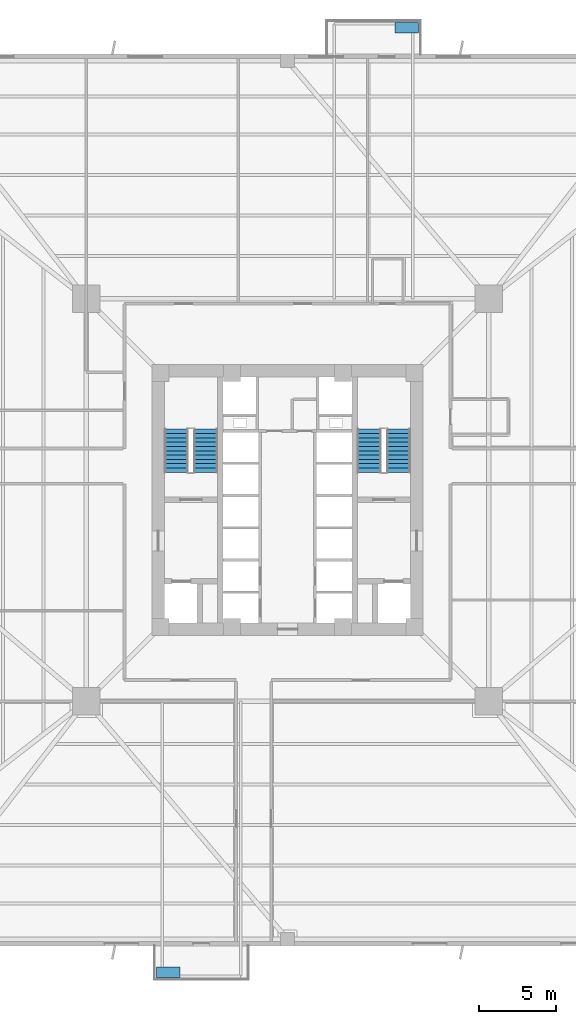
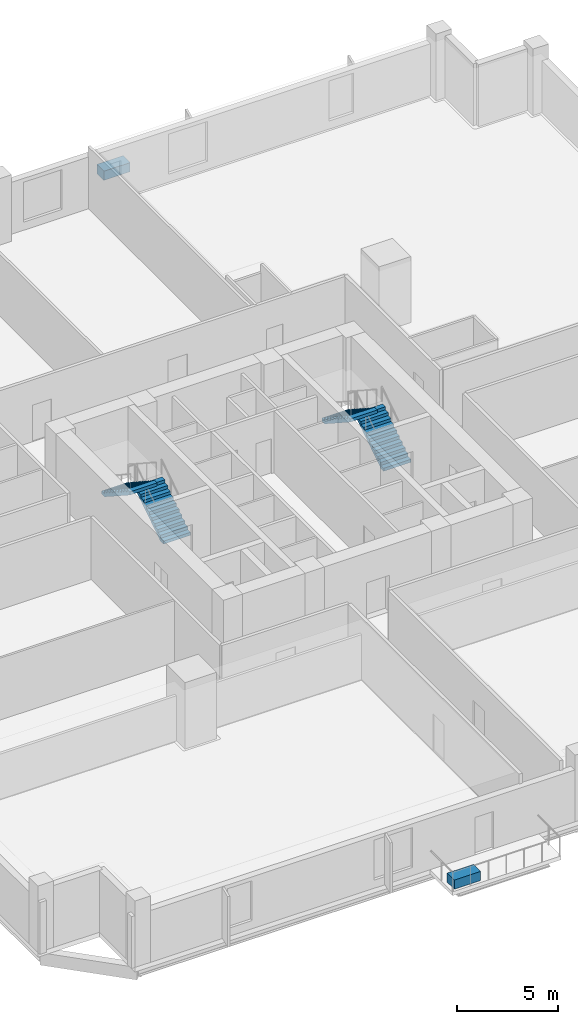
# One storey, part 5 of 8: 4 stair flights, 2 discrete accessories, 2 elements without a shape of their own.
"""IFC4 building model written with IfcOpenShell, lengths in metres."""

from ifc_helpers import new_model, si_unit, direction, frame, origin, origin_2d, place, context, subcontext, project, spatial, polyline, rectangle, outline, extrude, source, transform, mapped, material, type_object, element, aggregate, save


model = new_model("IFC4")

# Units and contexts
model_context = context("Model", 3, precision=1e-05, world=origin(), true_north=direction((0.0, 1.0)))
body_context = subcontext(model_context, "Body", "Model", "MODEL_VIEW")
ifc_project = project(units=[si_unit("LENGTHUNIT", "METRE"), si_unit("AREAUNIT", "SQUARE_METRE"), si_unit("VOLUMEUNIT", "CUBIC_METRE"), si_unit("PLANEANGLEUNIT", "RADIAN"), si_unit("MASSUNIT", "GRAM", prefix="KILO"), si_unit("THERMODYNAMICTEMPERATUREUNIT", "KELVIN")], contexts=[model_context])

# Site, building, storey
site_placement = place(None, origin())
site = spatial("IfcSite", under=ifc_project, at=site_placement, CompositionType="ELEMENT")
building_placement = place(site_placement, origin())
building = spatial("IfcBuilding", under=site, at=building_placement, Name="Kosmvard Interchange Tower", CompositionType="ELEMENT")
storey_placement = place(building_placement, frame((0.0, 0.0, 66.0)))
storey = spatial("IfcBuildingStorey", under=building, at=storey_placement, Name="L15", CompositionType="ELEMENT", Elevation=66.0)

# Stair, stair flights
ifc_material_1 = material(Name="Concrete C50/60", Category="concrete")
stair_type = type_object("IfcStairType", Name="Dog-Leg Core Exit Stair H4000 C50/60", PredefinedType="HALF_TURN_STAIR", material=ifc_material_1)
stair_1_placement = place(storey_placement, origin())
stair_1 = element("IfcStair", 1, at=stair_1_placement, inside=storey, type_object=stair_type, Name="L15 Protected Exit Stair ST-1", PredefinedType="HALF_TURN_STAIR")
stair_flight_type = type_object("IfcStairFlightType", Name="Core Stair Flight W1550 H4000 C50/60", PredefinedType="STRAIGHT", material=ifc_material_1)
shared_shape_1 = source(origin(), body_context, "Body", "SweptSolid", [
    extrude(outline(polyline([(0.0, 0.0), (0.0, 0.181884765625), (0.280029296875, 0.181884765625), (0.280029296875, 0.363525390625), (0.56005859375, 0.363525390625), (0.56005859375, 0.54541015625), (0.840087890625, 0.54541015625), (0.840087890625, 0.727294921875), (1.1201171875, 0.727294921875), (1.1201171875, 0.9091796875), (1.39990234375, 0.9091796875), (1.39990234375, 1.0908203125), (1.679931640625, 1.0908203125), (1.679931640625, 1.272705078125), (1.9599609375, 1.272705078125), (1.9599609375, 1.45458984375), (2.239990234375, 1.45458984375), (2.239990234375, 1.636474609375), (2.52001953125, 1.636474609375), (2.52001953125, 1.818115234375), (2.800048828125, 1.818115234375), (2.800048828125, 2.0), (2.800048828125, 1.62744140625), (0.293701171875, 0.0), (0.0, 0.0)])), frame((0.0, 0.77490234375, 0.0), z_axis=(0.0, -1.0, 0.0), x_axis=(1.0, 0.0, 0.0)), (0.0, 0.0, 1.0), 1.550048828125),
])
stair_flight_1_placement = place(storey_placement, frame((-5.31494140625, 1.800048828125, 0.0), z_axis=(0.0, 0.0, 1.0), x_axis=(0.0, 1.0, 0.0)))
stair_flight_1 = element("IfcStairFlight", 2, at=stair_flight_1_placement, type_object=stair_flight_type, Name="ST-1 flight 1", NumberOfRisers=11, NumberOfTreads=10, PredefinedType="STRAIGHT", RiserHeight=0.181818182, TreadLength=0.28, context=body_context, shape_type="MappedRepresentation", body=[
    mapped(shared_shape_1, transform((0.0, 0.0, 0.0), scale=1.0)),
])
stair_flight_2_placement = place(storey_placement, frame((-7.22509765625, 4.60009765625, 2.0), z_axis=(0.0, 0.0, 1.0), x_axis=(0.0, -1.0, 0.0)))
stair_flight_2 = element("IfcStairFlight", 3, at=stair_flight_2_placement, type_object=stair_flight_type, Name="ST-1 flight 2", NumberOfRisers=11, NumberOfTreads=10, PredefinedType="STRAIGHT", RiserHeight=0.181818182, TreadLength=0.28, context=body_context, shape_type="MappedRepresentation", body=[
    mapped(shared_shape_1, transform((0.0, 0.0, 0.0), scale=1.0)),
])
aggregate(stair_1, [stair_flight_1, stair_flight_2])

stair_2_placement = place(storey_placement, origin())
stair_2 = element("IfcStair", 4, at=stair_2_placement, inside=storey, type_object=stair_type, Name="L15 Protected Exit Stair ST-2", PredefinedType="HALF_TURN_STAIR")
stair_flight_3_placement = place(storey_placement, frame((7.22509765625, 1.800048828125, 0.0), z_axis=(0.0, 0.0, 1.0), x_axis=(0.0, 1.0, 0.0)))
stair_flight_3 = element("IfcStairFlight", 5, at=stair_flight_3_placement, type_object=stair_flight_type, Name="ST-2 flight 1", NumberOfRisers=11, NumberOfTreads=10, PredefinedType="STRAIGHT", RiserHeight=0.181818182, TreadLength=0.28, context=body_context, shape_type="MappedRepresentation", body=[
    mapped(shared_shape_1, transform((0.0, 0.0, 0.0), scale=1.0)),
])
stair_flight_4_placement = place(storey_placement, frame((5.31494140625, 4.60009765625, 2.0), z_axis=(0.0, 0.0, 1.0), x_axis=(0.0, -1.0, 0.0)))
stair_flight_4 = element("IfcStairFlight", 6, at=stair_flight_4_placement, type_object=stair_flight_type, Name="ST-2 flight 2", NumberOfRisers=11, NumberOfTreads=10, PredefinedType="STRAIGHT", RiserHeight=0.181818182, TreadLength=0.28, context=body_context, shape_type="MappedRepresentation", body=[
    mapped(shared_shape_1, transform((0.0, 0.0, 0.0), scale=1.0)),
])
aggregate(stair_2, [stair_flight_3, stair_flight_4])

# Discrete accessories
ifc_material_2 = material(Name="Terracotta precast planter concrete C45/55", Category="masonry")
discrete_accessory_type = type_object("IfcDiscreteAccessoryType", Name="Precast Tree-Balcony & Terrace Planter Box", PredefinedType="USERDEFINED", material=ifc_material_2)
shared_shape_2 = source(origin(), body_context, "Body", "SweptSolid", [
    extrude(rectangle(XDim=1.5, YDim=0.699951171875, at=origin_2d()), origin(), (0.0, 0.0, 1.0), 0.550048828125),
])
for number, where, z_axis, x_axis, name in (
    (7, (-7.75, -30.699951171875, 0.0), (0.0, 0.0, 1.0), (1.0, 0.0, 0.0), "L15 Balcony Tree Planter BAL-L15-S"),
    (8, (7.75, 30.699951171875, 0.0), (0.0, 0.0, 1.0), (1.0, 0.0, 0.0), "L15 Balcony Tree Planter BAL-L15-N"),
):
    element("IfcDiscreteAccessory", number, at=place(storey_placement, frame(where, z_axis=z_axis, x_axis=x_axis)), inside=storey, type_object=discrete_accessory_type, Name=name, ObjectType="PLANTER", PredefinedType="USERDEFINED", context=body_context, shape_type="MappedRepresentation", body=[
        mapped(shared_shape_2, transform((0.0, 0.0, 0.0), scale=1.0)),
    ])

save(model, "model.ifc")
